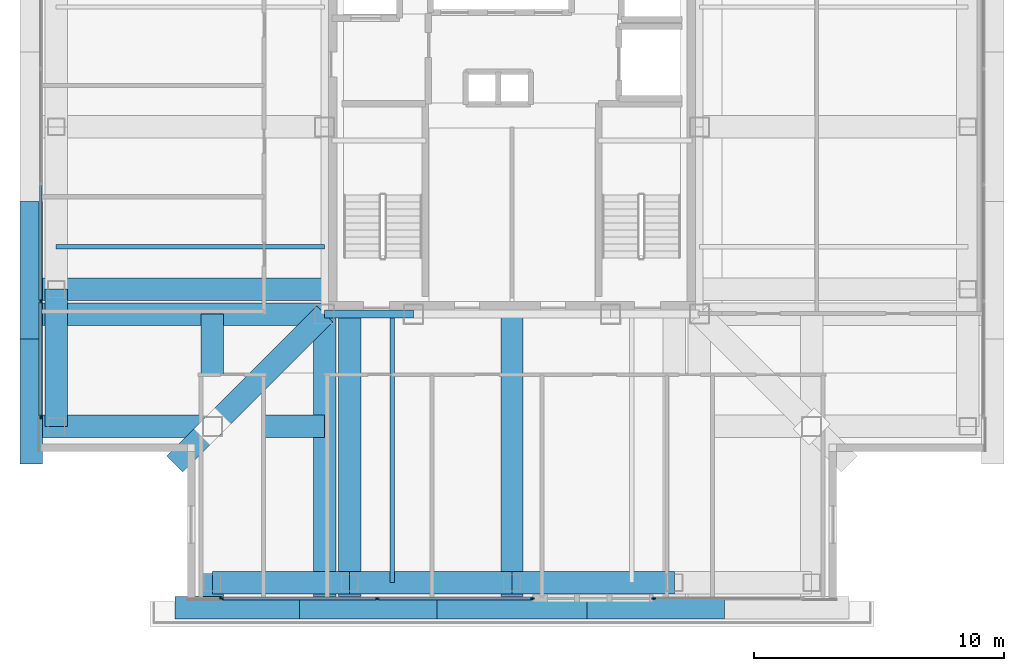
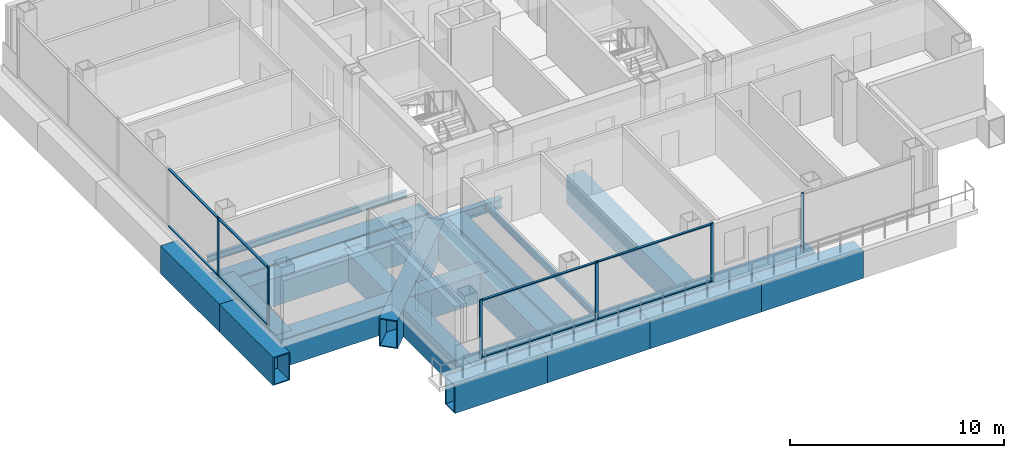
# One storey, part 2 of 15: 21 beams, 14 members, 3 elements without a shape of their own.
"""IFC4 building model written with IfcOpenShell, lengths in metres."""

from ifc_helpers import new_model, si_unit, direction, frame, origin, origin_2d, place, context, subcontext, project, spatial, rectangle, hollow_rectangle, i_section, extrude, material, layer, layer_set, material_profile, profile_set, type_object, element, aggregate, save


model = new_model("IFC4")

# Units and contexts
model_context = context("Model", 3, precision=1e-05, world=origin(), true_north=direction((0.0, 1.0)))
body_context = subcontext(model_context, "Body", "Model", "MODEL_VIEW")
ifc_project = project(units=[si_unit("LENGTHUNIT", "METRE"), si_unit("AREAUNIT", "SQUARE_METRE"), si_unit("VOLUMEUNIT", "CUBIC_METRE"), si_unit("PLANEANGLEUNIT", "RADIAN"), si_unit("MASSUNIT", "GRAM", prefix="KILO")], contexts=[model_context])

# Site, building, storey
site_placement = place(None, origin())
site = spatial("IfcSite", under=ifc_project, at=site_placement, CompositionType="ELEMENT")
building_placement = place(site_placement, origin())
building = spatial("IfcBuilding", under=site, at=building_placement, Name="Trevonay Congress Spire", CompositionType="ELEMENT")
storey_placement = place(building_placement, frame((0.0, 0.0, 232.39990234375)))
storey = spatial("IfcBuildingStorey", under=building, at=storey_placement, Name="L60", CompositionType="ELEMENT", Elevation=232.39990234375)

# Beams
ifc_material_1 = material(Name="Steel ASTM A572 Grade 50", Category="steel")
ifc_material_profile_1 = material_profile(ifc_material_1, i_section(OverallWidth=0.31201171875, OverallDepth=0.54296875, WebThickness=0.0126953125, FlangeThickness=0.020263671875, FilletRadius=0.014892578125, at=origin_2d()), Name="W530x150")
ifc_profile_set_1 = profile_set([ifc_material_profile_1], Name="Steel ASTM A572 Grade 50")
beam_type_1 = type_object("IfcBeamType", Name="BM-GIRD-W530X150", PredefinedType="BEAM", material=ifc_profile_set_1)
beam_1_placement = place(storey_placement, frame((-7.5, -7.5, -0.67138671875), z_axis=(1.0, 0.0, 0.0), x_axis=(0.0, 1.0, 0.0)))
element("IfcBeam", 1, at=beam_1_placement, inside=storey, type_object=beam_type_1, Name="L60 structural beam BM-L60-CR-S1", PredefinedType="BEAM", context=body_context, shape_type="SweptSolid", body=[
    extrude(i_section(OverallWidth=0.31201171875, OverallDepth=0.54296875, WebThickness=0.0126953125, FlangeThickness=0.020263671875, FilletRadius=0.014892578125, at=origin_2d()), origin(), (0.0, 0.0, 1.0), 3.550048828125),
])
ifc_material_profile_2 = material_profile(ifc_material_1, hollow_rectangle(XDim=0.89990234375, YDim=1.60009765625, WallThickness=0.06005859375, at=origin_2d()), Name="BOX 1600x900x60")
ifc_profile_set_2 = profile_set([ifc_material_profile_2], Name="Steel ASTM A572 Grade 50")
beam_type_2 = type_object("IfcBeamType", Name="BM-RING-BOX1600", PredefinedType="BEAM", material=ifc_profile_set_2)
for number, where, z_axis, x_axis, name in (
    (2, (-12.0, -18.25, -1.199951171875), (1.0, 0.0, 0.0), (0.0, 1.0, 0.0), "L60 structural beam BM-L60-PS1"),
    (3, (-18.25, -12.0, -1.199951171875), (0.0, 1.0, 0.0), (-1.0, 0.0, 0.0), "L60 structural beam BM-L60-PW1"),
):
    element("IfcBeam", number, at=place(storey_placement, frame(where, z_axis=z_axis, x_axis=x_axis)), inside=storey, type_object=beam_type_2, Name=name, PredefinedType="BEAM", context=body_context, shape_type="SweptSolid", body=[
        extrude(hollow_rectangle(XDim=0.89990234375, YDim=1.60009765625, WallThickness=0.06005859375, at=origin_2d()), origin(), (0.0, 0.0, 1.0), 5.5),
    ])
for number, where, z_axis, x_axis, name in (
    (4, (-6.5, -18.25, -1.199951171875), (1.0, 0.0, 0.0), (0.0, 1.0, 0.0), "L60 structural beam BM-L60-PS2"),
    (5, (0.0, -18.25, -1.199951171875), (1.0, 0.0, 0.0), (0.0, 1.0, 0.0), "L60 structural beam BM-L60-PS3"),
):
    element("IfcBeam", number, at=place(storey_placement, frame(where, z_axis=z_axis, x_axis=x_axis)), inside=storey, type_object=beam_type_2, Name=name, PredefinedType="BEAM", context=body_context, shape_type="SweptSolid", body=[
        extrude(hollow_rectangle(XDim=0.89990234375, YDim=1.60009765625, WallThickness=0.06005859375, at=origin_2d()), origin(), (0.0, 0.0, 1.0), 6.5),
    ])
for number, where, z_axis, x_axis, name in (
    (6, (-13.5, -19.25, -1.199951171875), (1.0, 0.0, 0.0), (0.0, 1.0, 0.0), "L60 structural beam XOUT-L60-S0"),
    (7, (-19.25, -13.5, -1.199951171875), (0.0, 1.0, 0.0), (-1.0, 0.0, 0.0), "L60 structural beam XOUT-L60-W0"),
):
    element("IfcBeam", number, at=place(storey_placement, frame(where, z_axis=z_axis, x_axis=x_axis)), inside=storey, type_object=beam_type_2, Name=name, PredefinedType="BEAM", context=body_context, shape_type="SweptSolid", body=[
        extrude(hollow_rectangle(XDim=0.89990234375, YDim=1.60009765625, WallThickness=0.06005859375, at=origin_2d()), origin(), (0.0, 0.0, 1.0), 5.0),
    ])
for number, where, z_axis, x_axis, name in (
    (8, (-8.5, -19.25, -1.199951171875), (1.0, 0.0, 0.0), (0.0, 1.0, 0.0), "L60 structural beam XOUT-L60-S1"),
    (9, (-19.25, -8.5, -1.199951171875), (0.0, 1.0, 0.0), (-1.0, 0.0, 0.0), "L60 structural beam XOUT-L60-W1"),
):
    element("IfcBeam", number, at=place(storey_placement, frame(where, z_axis=z_axis, x_axis=x_axis)), inside=storey, type_object=beam_type_2, Name=name, PredefinedType="BEAM", context=body_context, shape_type="SweptSolid", body=[
        extrude(hollow_rectangle(XDim=0.89990234375, YDim=1.60009765625, WallThickness=0.06005859375, at=origin_2d()), origin(), (0.0, 0.0, 1.0), 5.5),
    ])
beam_2_placement = place(storey_placement, frame((-3.0, -19.25, -1.199951171875), z_axis=(1.0, 0.0, 0.0), x_axis=(0.0, 1.0, 0.0)))
element("IfcBeam", 10, at=beam_2_placement, inside=storey, type_object=beam_type_2, Name="L60 structural beam XOUT-L60-S2", PredefinedType="BEAM", context=body_context, shape_type="SweptSolid", body=[
    extrude(hollow_rectangle(XDim=0.89990234375, YDim=1.60009765625, WallThickness=0.06005859375, at=origin_2d()), origin(), (0.0, 0.0, 1.0), 6.0),
])
beam_3_placement = place(storey_placement, frame((3.0, -19.25, -1.199951171875), z_axis=(1.0, 0.0, 0.0), x_axis=(0.0, 1.0, 0.0)))
element("IfcBeam", 11, at=beam_3_placement, inside=storey, type_object=beam_type_2, Name="L60 structural beam XOUT-L60-S3", PredefinedType="BEAM", context=body_context, shape_type="SweptSolid", body=[
    extrude(hollow_rectangle(XDim=0.89990234375, YDim=1.60009765625, WallThickness=0.06005859375, at=origin_2d()), origin(), (0.0, 0.0, 1.0), 5.5),
])
ifc_material_profile_3 = material_profile(ifc_material_1, hollow_rectangle(XDim=0.89990234375, YDim=1.60009765625, WallThickness=0.06005859375, at=origin_2d()), Name="BOX 1600x900x60")
ifc_profile_set_3 = profile_set([ifc_material_profile_3], Name="Steel ASTM A572 Grade 50")
beam_type_3 = type_object("IfcBeamType", Name="BM-XFER-BOX1600", PredefinedType="BEAM", material=ifc_profile_set_3)
beam_4_placement = place(storey_placement, frame((-7.5, -7.5, -1.199951171875), z_axis=(-0.707106781187, -0.707106781187, 0.0), x_axis=(0.707106781187, -0.707106781187, 0.0)))
element("IfcBeam", 12, at=beam_4_placement, inside=storey, type_object=beam_type_3, Name="L60 structural beam BM-L60-CDSW", PredefinedType="BEAM", context=body_context, shape_type="SweptSolid", body=[
    extrude(hollow_rectangle(XDim=0.89990234375, YDim=1.60009765625, WallThickness=0.06005859375, at=origin_2d()), origin(), (0.0, 0.0, 1.0), 8.4853515625),
])
for number, where, z_axis, x_axis, name in (
    (13, (-7.5, -7.5, -1.199951171875), (-1.0, 0.0, 0.0), (0.0, -1.0, 0.0), "L60 structural beam XSPN-L60-CX-SW"),
    (14, (-7.5, -7.5, -1.199951171875), (0.0, -1.0, 0.0), (1.0, 0.0, 0.0), "L60 structural beam XSPN-L60-CY-SW"),
    (15, (-12.0, -7.5, -1.199951171875), (0.0, -1.0, 0.0), (1.0, 0.0, 0.0), "L60 structural beam XFER-L60-S0"),
    (16, (-7.5, -12.0, -1.199951171875), (-1.0, 0.0, 0.0), (0.0, -1.0, 0.0), "L60 structural beam XFER-L60-W0"),
    (17, (-6.5, -7.5, -1.199951171875), (0.0, -1.0, 0.0), (1.0, 0.0, 0.0), "L60 structural beam XFER-L60-S1"),
    (18, (-7.5, -6.5, -1.199951171875), (-1.0, 0.0, 0.0), (0.0, -1.0, 0.0), "L60 structural beam XFER-L60-W1"),
    (19, (0.0, -7.5, -1.199951171875), (0.0, -1.0, 0.0), (1.0, 0.0, 0.0), "L60 structural beam XFER-L60-S2"),
):
    element("IfcBeam", number, at=place(storey_placement, frame(where, z_axis=z_axis, x_axis=x_axis)), inside=storey, type_object=beam_type_3, Name=name, PredefinedType="BEAM", context=body_context, shape_type="SweptSolid", body=[
        extrude(hollow_rectangle(XDim=0.89990234375, YDim=1.60009765625, WallThickness=0.06005859375, at=origin_2d()), origin(), (0.0, 0.0, 1.0), 11.75),
    ])

# Curtain wall, members
ifc_material_2 = material(Name="Pale Anodised Aluminium EN AW-6063-T6", Category="aluminium")
ifc_layer = layer(ifc_material_2, 0.1650390625, Name="Pale Anodised Aluminium EN AW-6063-T6")
ifc_layer_set = layer_set([ifc_layer], Name="Pale Anodised Aluminium EN AW-6063-T6")
curtain_wall_type = type_object("IfcCurtainWallType", Name="CW-SYS05-DIPLOM-PALE-METAL", PredefinedType="NOTDEFINED", material=ifc_layer_set)
curtain_wall_1_placement = place(storey_placement, origin())
curtain_wall_1 = element("IfcCurtainWall", 20, at=curtain_wall_1_placement, inside=storey, type_object=curtain_wall_type, Name="L60 SA unitised curtain wall", PredefinedType="NOTDEFINED")
ifc_material_profile_4 = material_profile(ifc_material_2, rectangle(XDim=0.06005859375, YDim=0.159912109375, at=origin_2d()), Name="CW-MULLION-160-ALUMINIUM")
ifc_profile_set_4 = profile_set([ifc_material_profile_4], Name="Pale Anodised Aluminium EN AW-6063-T6")
member_type_1 = type_object("IfcMemberType", Name="CW-MULLION-160-ALUMINIUM", PredefinedType="MULLION", material=ifc_profile_set_4)
member_1_placement = place(storey_placement, frame((-11.6201171875, -18.8798828125, 0.0), z_axis=(0.0, 0.0, 1.0), x_axis=(0.0, 1.0, 0.0)))
member_1 = element("IfcMember", 21, at=member_1_placement, type_object=member_type_1, Name="CW05 mullion 1", PredefinedType="MULLION", context=body_context, shape_type="SweptSolid", body=[
    extrude(rectangle(XDim=0.06005859375, YDim=0.159912109375, at=origin_2d()), origin(), (0.0, 0.0, 1.0), 3.360107421875),
])
member_2_placement = place(storey_placement, frame((-5.39990234375, -18.8798828125, 0.0), z_axis=(0.0, 0.0, 1.0), x_axis=(0.0, 1.0, 0.0)))
member_2 = element("IfcMember", 22, at=member_2_placement, type_object=member_type_1, Name="CW05 mullion 2", PredefinedType="MULLION", context=body_context, shape_type="SweptSolid", body=[
    extrude(rectangle(XDim=0.06005859375, YDim=0.159912109375, at=origin_2d()), origin(), (0.0, 0.0, 1.0), 3.360107421875),
])
member_3_placement = place(storey_placement, frame((0.820068359375, -18.8798828125, 0.0), z_axis=(0.0, 0.0, 1.0), x_axis=(0.0, 1.0, 0.0)))
member_3 = element("IfcMember", 23, at=member_3_placement, type_object=member_type_1, Name="CW05 mullion 3", PredefinedType="MULLION", context=body_context, shape_type="SweptSolid", body=[
    extrude(rectangle(XDim=0.06005859375, YDim=0.159912109375, at=origin_2d()), origin(), (0.0, 0.0, 1.0), 3.360107421875),
])

# Curtain wall, member
curtain_wall_2_placement = place(storey_placement, origin())
curtain_wall_2 = element("IfcCurtainWall", 24, at=curtain_wall_2_placement, inside=storey, type_object=curtain_wall_type, Name="L60 SB unitised curtain wall", PredefinedType="NOTDEFINED")
member_4_placement = place(storey_placement, frame((5.679931640625, -18.8798828125, 0.0), z_axis=(0.0, 0.0, 1.0), x_axis=(0.0, 1.0, 0.0)))
member_4 = element("IfcMember", 25, at=member_4_placement, type_object=member_type_1, Name="CW05 mullion 1", PredefinedType="MULLION", context=body_context, shape_type="SweptSolid", body=[
    extrude(rectangle(XDim=0.06005859375, YDim=0.159912109375, at=origin_2d()), origin(), (0.0, 0.0, 1.0), 3.360107421875),
])
aggregate(curtain_wall_2, [member_4])

# Curtain wall, members
curtain_wall_3_placement = place(storey_placement, origin())
curtain_wall_3 = element("IfcCurtainWall", 26, at=curtain_wall_3_placement, inside=storey, type_object=curtain_wall_type, Name="L60 W unitised curtain wall", PredefinedType="NOTDEFINED")
member_5_placement = place(storey_placement, frame((-18.8798828125, -11.6201171875, 0.0), z_axis=(0.0, 0.0, 1.0), x_axis=(-1.0, 0.0, 0.0)))
member_5 = element("IfcMember", 27, at=member_5_placement, type_object=member_type_1, Name="CW05 mullion 1", PredefinedType="MULLION", context=body_context, shape_type="SweptSolid", body=[
    extrude(rectangle(XDim=0.06005859375, YDim=0.159912109375, at=origin_2d()), origin(), (0.0, 0.0, 1.0), 3.360107421875),
])
member_6_placement = place(storey_placement, frame((-18.8798828125, -6.989990234375, 0.0), z_axis=(0.0, 0.0, 1.0), x_axis=(-1.0, 0.0, 0.0)))
member_6 = element("IfcMember", 28, at=member_6_placement, type_object=member_type_1, Name="CW05 mullion 2", PredefinedType="MULLION", context=body_context, shape_type="SweptSolid", body=[
    extrude(rectangle(XDim=0.06005859375, YDim=0.159912109375, at=origin_2d()), origin(), (0.0, 0.0, 1.0), 3.360107421875),
])

# Member
ifc_material_profile_5 = material_profile(ifc_material_2, rectangle(XDim=0.1201171875, YDim=0.06005859375, at=origin_2d()), Name="CW-TRANSOM-120-ALUMINIUM")
ifc_profile_set_5 = profile_set([ifc_material_profile_5], Name="Pale Anodised Aluminium EN AW-6063-T6")
member_type_2 = type_object("IfcMemberType", Name="CW-TRANSOM-120-ALUMINIUM", PredefinedType="USERDEFINED", material=ifc_profile_set_5)
member_7_placement = place(storey_placement, frame((-11.590087890625, -18.8798828125, 0.06005859375), z_axis=(1.0, 0.0, 0.0), x_axis=(0.0, 1.0, 0.0)))
member_7 = element("IfcMember", 29, at=member_7_placement, type_object=member_type_2, Name="CW05 transom 1.1", ObjectType="TRANSOM", PredefinedType="USERDEFINED", context=body_context, shape_type="SweptSolid", body=[
    extrude(rectangle(XDim=0.1201171875, YDim=0.06005859375, at=origin_2d()), origin(), (0.0, 0.0, 1.0), 6.16015625),
])

member_8_placement = place(storey_placement, frame((-11.590087890625, -18.8798828125, 3.300048828125), z_axis=(1.0, 0.0, 0.0), x_axis=(0.0, 1.0, 0.0)))
member_8 = element("IfcMember", 30, at=member_8_placement, type_object=member_type_2, Name="CW05 transom 1.2", ObjectType="TRANSOM", PredefinedType="USERDEFINED", context=body_context, shape_type="SweptSolid", body=[
    extrude(rectangle(XDim=0.1201171875, YDim=0.06005859375, at=origin_2d()), origin(), (0.0, 0.0, 1.0), 6.16015625),
])

member_9_placement = place(storey_placement, frame((-5.3701171875, -18.8798828125, 0.06005859375), z_axis=(1.0, 0.0, 0.0), x_axis=(0.0, 1.0, 0.0)))
member_9 = element("IfcMember", 31, at=member_9_placement, type_object=member_type_2, Name="CW05 transom 2.1", ObjectType="TRANSOM", PredefinedType="USERDEFINED", context=body_context, shape_type="SweptSolid", body=[
    extrude(rectangle(XDim=0.1201171875, YDim=0.06005859375, at=origin_2d()), origin(), (0.0, 0.0, 1.0), 6.16015625),
])

member_10_placement = place(storey_placement, frame((-5.3701171875, -18.8798828125, 3.300048828125), z_axis=(1.0, 0.0, 0.0), x_axis=(0.0, 1.0, 0.0)))
member_10 = element("IfcMember", 32, at=member_10_placement, type_object=member_type_2, Name="CW05 transom 2.2", ObjectType="TRANSOM", PredefinedType="USERDEFINED", context=body_context, shape_type="SweptSolid", body=[
    extrude(rectangle(XDim=0.1201171875, YDim=0.06005859375, at=origin_2d()), origin(), (0.0, 0.0, 1.0), 6.16015625),
])

aggregate(curtain_wall_1, [member_1, member_2, member_3, member_7, member_8, member_9, member_10])

member_11_placement = place(storey_placement, frame((-18.8798828125, -11.590087890625, 0.06005859375), z_axis=(0.0, 1.0, 0.0), x_axis=(-1.0, 0.0, 0.0)))
member_11 = element("IfcMember", 33, at=member_11_placement, type_object=member_type_2, Name="CW05 transom 1.1", ObjectType="TRANSOM", PredefinedType="USERDEFINED", context=body_context, shape_type="SweptSolid", body=[
    extrude(rectangle(XDim=0.1201171875, YDim=0.06005859375, at=origin_2d()), origin(), (0.0, 0.0, 1.0), 4.570068359375),
])

member_12_placement = place(storey_placement, frame((-18.8798828125, -11.590087890625, 3.300048828125), z_axis=(0.0, 1.0, 0.0), x_axis=(-1.0, 0.0, 0.0)))
member_12 = element("IfcMember", 34, at=member_12_placement, type_object=member_type_2, Name="CW05 transom 1.2", ObjectType="TRANSOM", PredefinedType="USERDEFINED", context=body_context, shape_type="SweptSolid", body=[
    extrude(rectangle(XDim=0.1201171875, YDim=0.06005859375, at=origin_2d()), origin(), (0.0, 0.0, 1.0), 4.570068359375),
])

member_13_placement = place(storey_placement, frame((-18.8798828125, -6.9599609375, 0.06005859375), z_axis=(0.0, 1.0, 0.0), x_axis=(-1.0, 0.0, 0.0)))
member_13 = element("IfcMember", 35, at=member_13_placement, type_object=member_type_2, Name="CW05 transom 2.1", ObjectType="TRANSOM", PredefinedType="USERDEFINED", context=body_context, shape_type="SweptSolid", body=[
    extrude(rectangle(XDim=0.1201171875, YDim=0.06005859375, at=origin_2d()), origin(), (0.0, 0.0, 1.0), 4.599853515625),
])

member_14_placement = place(storey_placement, frame((-18.8798828125, -6.9599609375, 3.300048828125), z_axis=(0.0, 1.0, 0.0), x_axis=(-1.0, 0.0, 0.0)))
member_14 = element("IfcMember", 36, at=member_14_placement, type_object=member_type_2, Name="CW05 transom 2.2", ObjectType="TRANSOM", PredefinedType="USERDEFINED", context=body_context, shape_type="SweptSolid", body=[
    extrude(rectangle(XDim=0.1201171875, YDim=0.06005859375, at=origin_2d()), origin(), (0.0, 0.0, 1.0), 4.599853515625),
])

aggregate(curtain_wall_3, [member_5, member_6, member_11, member_12, member_13, member_14])

# Beams
ifc_material_profile_6 = material_profile(ifc_material_1, i_section(OverallWidth=0.172119140625, OverallDepth=0.35791015625, WebThickness=0.0078125, FlangeThickness=0.01318359375, FilletRadius=0.011962890625, at=origin_2d()), Name="W360x57.8")
ifc_profile_set_6 = profile_set([ifc_material_profile_6], Name="Steel ASTM A572 Grade 50")
beam_type_4 = type_object("IfcBeamType", Name="JS-COMP-W360X57", PredefinedType="JOIST", material=ifc_profile_set_6)
for number, where, z_axis, x_axis, name in (
    (37, (-4.800048828125, -18.25, -0.578857421875), (0.0, 1.0, 0.0), (-1.0, 0.0, 0.0), "L60 structural beam JS-L60-NS-S1"),
    (38, (-18.25, -4.800048828125, -0.578857421875), (1.0, 0.0, 0.0), (0.0, 1.0, 0.0), "L60 structural beam JS-L60-EW-W1"),
):
    element("IfcBeam", number, at=place(storey_placement, frame(where, z_axis=z_axis, x_axis=x_axis)), inside=storey, type_object=beam_type_4, Name=name, PredefinedType="JOIST", context=body_context, shape_type="SweptSolid", body=[
        extrude(i_section(OverallWidth=0.172119140625, OverallDepth=0.35791015625, WebThickness=0.0078125, FlangeThickness=0.01318359375, FilletRadius=0.011962890625, at=origin_2d()), origin(), (0.0, 0.0, 1.0), 10.75),
    ])

save(model, "model.ifc")
